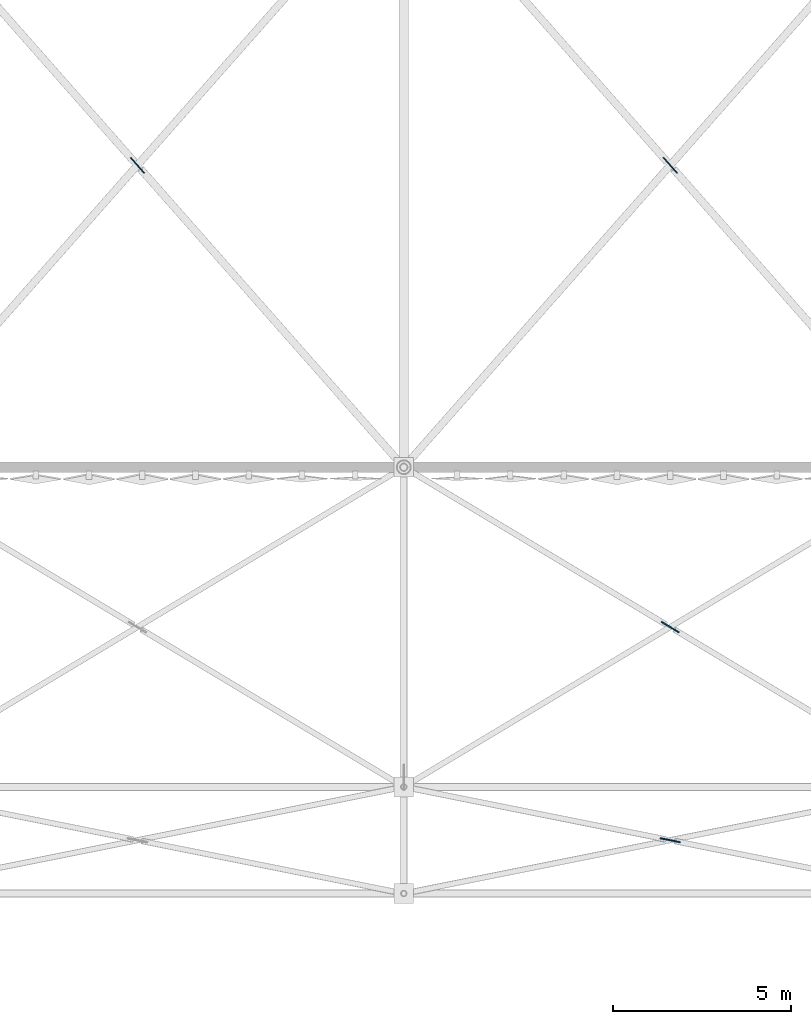
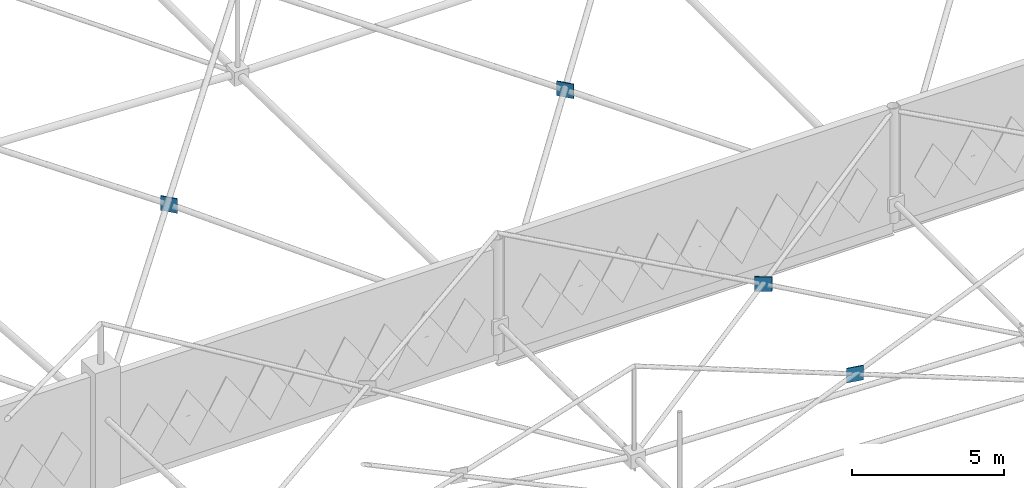
# One storey, part 177 of 224: 4 plates.
"""IFC4 building model written with IfcOpenShell, lengths in metres."""

from ifc_helpers import new_model, si_unit, direction, frame, origin, origin_2d, place, context, subcontext, project, spatial, rectangle, extrude, material, layer, layer_set, type_object, element, save


model = new_model("IFC4")

# Units and contexts
model_context = context("Model", 3, precision=1e-05, world=origin(), true_north=direction((0.0, 1.0)))
body_context = subcontext(model_context, "Body", "Model", "MODEL_VIEW")
ifc_project = project(units=[si_unit("LENGTHUNIT", "METRE"), si_unit("AREAUNIT", "SQUARE_METRE"), si_unit("VOLUMEUNIT", "CUBIC_METRE"), si_unit("PLANEANGLEUNIT", "RADIAN"), si_unit("MASSUNIT", "GRAM", prefix="KILO")], contexts=[model_context])

# Site, building, storey
site_placement = place(None, origin())
site = spatial("IfcSite", under=ifc_project, at=site_placement, CompositionType="ELEMENT")
building_placement = place(site_placement, origin())
building = spatial("IfcBuilding", under=site, at=building_placement, Name="Qamarlyn Nura Convention Centre", CompositionType="ELEMENT")
storey_placement = place(building_placement, frame((0.0, 0.0, 10.800048828125)))
storey = spatial("IfcBuildingStorey", under=building, at=storey_placement, Name="L02", CompositionType="ELEMENT", Elevation=10.800048828125)

# Plates
ifc_material = material(Name="Structural steel ASTM A572 Grade 50", Category="steel")
ifc_layer = layer(ifc_material, 0.035888671875, Name="GP-SN1")
ifc_layer_set = layer_set([ifc_layer], Name="Structural steel ASTM A572 Grade 50")
plate_type = type_object("IfcPlateType", Name="GP-SN1", PredefinedType="USERDEFINED", material=ifc_layer_set)
for number, where, z_axis, x_axis, name in (
    (1, (22.5, 26.5, 3.06689453125), (0.0, 0.0, 1.0), (-0.661622086957, 0.749837458421, 0.0), "Space frame X-brace crossing gusset plate 3-2"),
    (2, (37.5, 7.5, 2.544921875), (0.0, 0.0, 1.0), (-0.980580786845, 0.196115579366, 0.0), "Space frame X-brace crossing gusset plate 4-0"),
    (3, (37.5, 13.5, 2.513916015625), (0.0, 0.0, 1.0), (-0.857492535386, 0.514496405972, 0.0), "Space frame X-brace crossing gusset plate 4-1"),
    (4, (37.5, 26.5, 2.40478515625), (0.0, 0.0, 1.0), (-0.661622086957, 0.749837458421, 0.0), "Space frame X-brace crossing gusset plate 4-2"),
):
    element("IfcPlate", number, at=place(storey_placement, frame(where, z_axis=z_axis, x_axis=x_axis)), inside=storey, type_object=plate_type, Name=name, ObjectType="GUSSET PLATE", PredefinedType="USERDEFINED", context=body_context, shape_type="SweptSolid", body=[
        extrude(rectangle(XDim=0.580078125, YDim=0.035888671875, at=origin_2d()), origin(), (0.0, 0.0, 1.0), 0.580078125),
    ])

save(model, "model.ifc")
